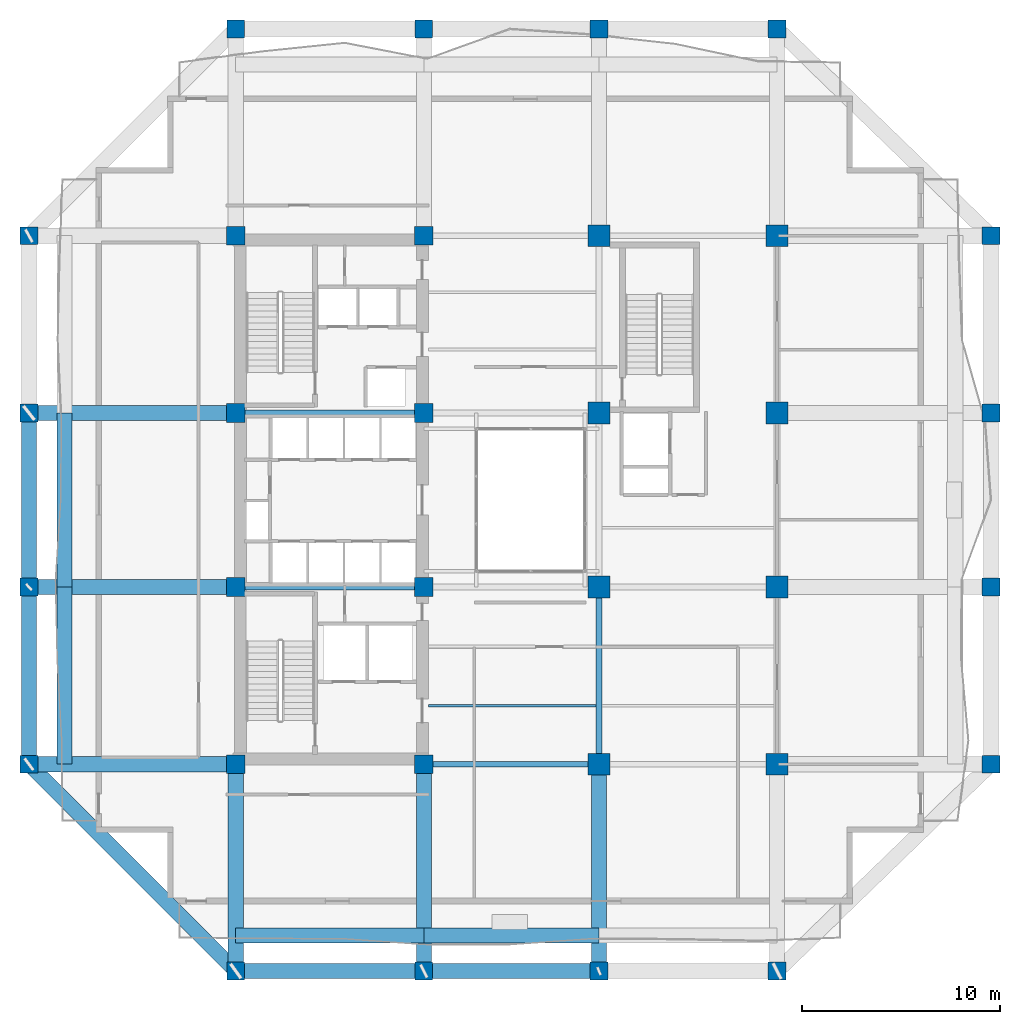
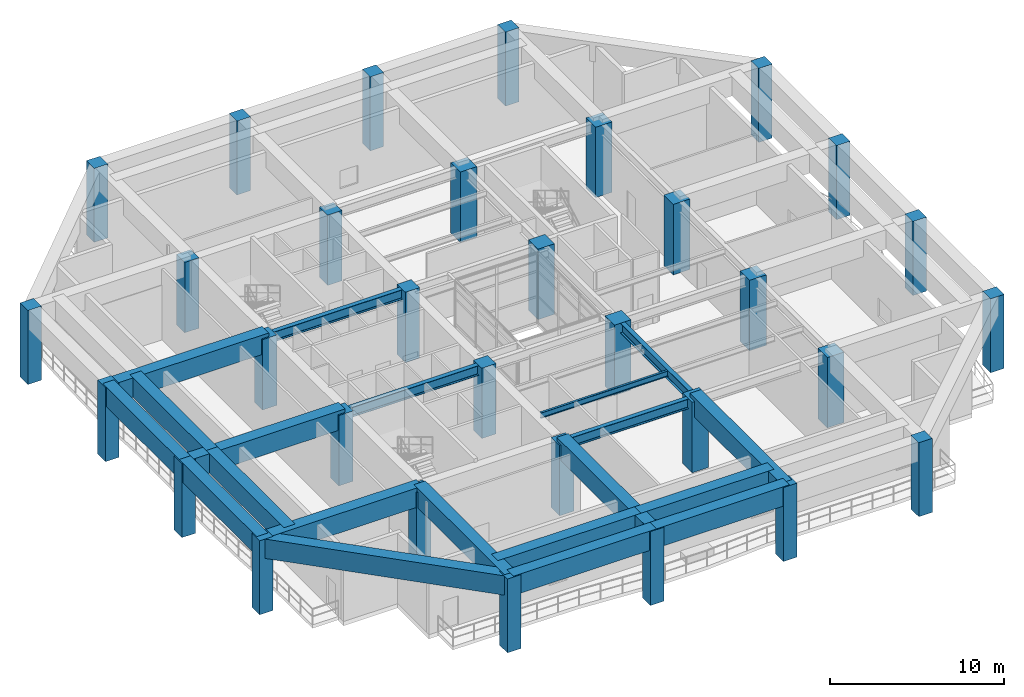
# One storey, part 1 of 13: 32 columns, 20 beams.
"""IFC4 building model written with IfcOpenShell, lengths in metres."""

from ifc_helpers import new_model, si_unit, direction, frame, origin, origin_2d, place, context, subcontext, project, spatial, rectangle, i_section, extrude, material, material_profile, profile_set, type_object, element, save


model = new_model("IFC4")

# Units and contexts
model_context = context("Model", 3, precision=1e-05, world=origin(), true_north=direction((0.0, 1.0)))
body_context = subcontext(model_context, "Body", "Model", "MODEL_VIEW")
ifc_project = project(units=[si_unit("LENGTHUNIT", "METRE"), si_unit("AREAUNIT", "SQUARE_METRE"), si_unit("VOLUMEUNIT", "CUBIC_METRE"), si_unit("PLANEANGLEUNIT", "RADIAN"), si_unit("MASSUNIT", "GRAM", prefix="KILO")], contexts=[model_context])

# Site, building, storey
site_placement = place(None, origin())
site = spatial("IfcSite", under=ifc_project, at=site_placement, CompositionType="ELEMENT")
building_placement = place(site_placement, origin())
building = spatial("IfcBuilding", under=site, at=building_placement, Name="Kundavana Baori Tower", CompositionType="ELEMENT")
storey_placement = place(building_placement, frame((0.0, 0.0, 98.800048828125)))
storey = spatial("IfcBuildingStorey", under=building, at=storey_placement, Name="L23", CompositionType="ELEMENT", Elevation=98.800048828125)

# Columns
ifc_material_1 = material(Name="Concrete C60/75", Category="concrete")
ifc_material_profile_1 = material_profile(ifc_material_1, rectangle(XDim=0.89990234375, YDim=0.89990234375, at=origin_2d()), Name="RC PF 900x900")
ifc_profile_set_1 = profile_set([ifc_material_profile_1], Name="Concrete C60/75")
column_type_1 = type_object("IfcColumnType", Name="COL-PF-900", PredefinedType="COLUMN", material=ifc_profile_set_1)
for number, where, z_axis, x_axis, name in (
    (1, (15.449951171875, 4.800048828125, 0.0), (0.0, 0.0, 1.0), (1.0, 0.0, 0.0), "L23 Stone-Clad Perimeter Frame Column PF-S1"),
    (2, (15.449951171875, 52.39990234375, 0.0), (0.0, 0.0, 1.0), (1.0, 0.0, 0.0), "L23 Stone-Clad Perimeter Frame Column PF-N1"),
    (3, (24.949951171875, 4.800048828125, 0.0), (0.0, 0.0, 1.0), (1.0, 0.0, 0.0), "L23 Stone-Clad Perimeter Frame Column PF-S2"),
    (4, (24.949951171875, 52.39990234375, 0.0), (0.0, 0.0, 1.0), (1.0, 0.0, 0.0), "L23 Stone-Clad Perimeter Frame Column PF-N2"),
    (5, (33.800048828125, 4.800048828125, 0.0), (0.0, 0.0, 1.0), (1.0, 0.0, 0.0), "L23 Stone-Clad Perimeter Frame Column PF-S3"),
    (6, (33.800048828125, 52.39990234375, 0.0), (0.0, 0.0, 1.0), (1.0, 0.0, 0.0), "L23 Stone-Clad Perimeter Frame Column PF-N3"),
    (7, (42.800048828125, 4.800048828125, 0.0), (0.0, 0.0, 1.0), (1.0, 0.0, 0.0), "L23 Stone-Clad Perimeter Frame Column PF-S4"),
    (8, (42.800048828125, 52.39990234375, 0.0), (0.0, 0.0, 1.0), (1.0, 0.0, 0.0), "L23 Stone-Clad Perimeter Frame Column PF-N4"),
    (9, (5.0, 15.25, 0.0), (0.0, 0.0, 1.0), (1.0, 0.0, 0.0), "L23 Stone-Clad Perimeter Frame Column PF-W1"),
    (10, (53.60009765625, 15.25, 0.0), (0.0, 0.0, 1.0), (1.0, 0.0, 0.0), "L23 Stone-Clad Perimeter Frame Column PF-E1"),
    (11, (5.0, 24.199951171875, 0.0), (0.0, 0.0, 1.0), (1.0, 0.0, 0.0), "L23 Stone-Clad Perimeter Frame Column PF-W2"),
    (12, (53.60009765625, 24.199951171875, 0.0), (0.0, 0.0, 1.0), (1.0, 0.0, 0.0), "L23 Stone-Clad Perimeter Frame Column PF-E2"),
    (13, (5.0, 33.0, 0.0), (0.0, 0.0, 1.0), (1.0, 0.0, 0.0), "L23 Stone-Clad Perimeter Frame Column PF-W3"),
    (14, (53.60009765625, 33.0, 0.0), (0.0, 0.0, 1.0), (1.0, 0.0, 0.0), "L23 Stone-Clad Perimeter Frame Column PF-E3"),
    (15, (5.0, 41.949951171875, 0.0), (0.0, 0.0, 1.0), (1.0, 0.0, 0.0), "L23 Stone-Clad Perimeter Frame Column PF-W4"),
    (16, (53.60009765625, 41.949951171875, 0.0), (0.0, 0.0, 1.0), (1.0, 0.0, 0.0), "L23 Stone-Clad Perimeter Frame Column PF-E4"),
):
    element("IfcColumn", number, at=place(storey_placement, frame(where, z_axis=z_axis, x_axis=x_axis)), inside=storey, type_object=column_type_1, Name=name, PredefinedType="COLUMN", context=body_context, shape_type="SweptSolid", body=[
        extrude(rectangle(XDim=0.89990234375, YDim=0.89990234375, at=origin_2d()), origin(), (0.0, 0.0, 1.0), 5.199951171875),
    ])
ifc_material_2 = material(Name="Concrete C60/75", Category="concrete")
ifc_material_profile_2 = material_profile(ifc_material_2, rectangle(XDim=1.10009765625, YDim=1.10009765625, at=origin_2d()), Name="RC 1100x1100")
ifc_profile_set_2 = profile_set([ifc_material_profile_2], Name="Concrete C60/75")
column_type_2 = type_object("IfcColumnType", Name="COL-RC-1100", PredefinedType="COLUMN", material=ifc_profile_set_2)
for number, where, z_axis, x_axis, name in (
    (17, (33.800048828125, 15.25, 0.0), (0.0, 0.0, 1.0), (1.0, 0.0, 0.0), "L23 Interior Column IC-5C"),
    (18, (33.800048828125, 24.199951171875, 0.0), (0.0, 0.0, 1.0), (1.0, 0.0, 0.0), "L23 Interior Column IC-5D"),
    (19, (33.800048828125, 33.0, 0.0), (0.0, 0.0, 1.0), (1.0, 0.0, 0.0), "L23 Interior Column IC-5E"),
    (20, (33.800048828125, 41.949951171875, 0.0), (0.0, 0.0, 1.0), (1.0, 0.0, 0.0), "L23 Interior Column IC-5F"),
    (21, (42.800048828125, 15.25, 0.0), (0.0, 0.0, 1.0), (1.0, 0.0, 0.0), "L23 Interior Column IC-6C"),
    (22, (42.800048828125, 24.199951171875, 0.0), (0.0, 0.0, 1.0), (1.0, 0.0, 0.0), "L23 Interior Column IC-6D"),
    (23, (42.800048828125, 33.0, 0.0), (0.0, 0.0, 1.0), (1.0, 0.0, 0.0), "L23 Interior Column IC-6E"),
    (24, (42.800048828125, 41.949951171875, 0.0), (0.0, 0.0, 1.0), (1.0, 0.0, 0.0), "L23 Interior Column IC-6F"),
):
    element("IfcColumn", number, at=place(storey_placement, frame(where, z_axis=z_axis, x_axis=x_axis)), inside=storey, type_object=column_type_2, Name=name, PredefinedType="COLUMN", context=body_context, shape_type="SweptSolid", body=[
        extrude(rectangle(XDim=1.10009765625, YDim=1.10009765625, at=origin_2d()), origin(), (0.0, 0.0, 1.0), 4.949951171875),
    ])
ifc_material_3 = material(Name="Concrete C50/60", Category="concrete")
ifc_material_profile_3 = material_profile(ifc_material_3, rectangle(XDim=0.949951171875, YDim=0.949951171875, at=origin_2d()), Name="RC 950x950")
ifc_profile_set_3 = profile_set([ifc_material_profile_3], Name="Concrete C50/60")
column_type_3 = type_object("IfcColumnType", Name="COL-RC-950", PredefinedType="COLUMN", material=ifc_profile_set_3)
for number, where, z_axis, x_axis, name in (
    (25, (15.449951171875, 15.25, 0.0), (0.0, 0.0, 1.0), (1.0, 0.0, 0.0), "L23 Interior Column IC-3C"),
    (26, (15.449951171875, 24.199951171875, 0.0), (0.0, 0.0, 1.0), (1.0, 0.0, 0.0), "L23 Interior Column IC-3D"),
    (27, (15.449951171875, 33.0, 0.0), (0.0, 0.0, 1.0), (1.0, 0.0, 0.0), "L23 Interior Column IC-3E"),
    (28, (15.449951171875, 41.949951171875, 0.0), (0.0, 0.0, 1.0), (1.0, 0.0, 0.0), "L23 Interior Column IC-3F"),
    (29, (24.949951171875, 15.25, 0.0), (0.0, 0.0, 1.0), (1.0, 0.0, 0.0), "L23 Interior Column IC-4C"),
    (30, (24.949951171875, 24.199951171875, 0.0), (0.0, 0.0, 1.0), (1.0, 0.0, 0.0), "L23 Interior Column IC-4D"),
    (31, (24.949951171875, 33.0, 0.0), (0.0, 0.0, 1.0), (1.0, 0.0, 0.0), "L23 Interior Column IC-4E"),
    (32, (24.949951171875, 41.949951171875, 0.0), (0.0, 0.0, 1.0), (1.0, 0.0, 0.0), "L23 Interior Column IC-4F"),
):
    element("IfcColumn", number, at=place(storey_placement, frame(where, z_axis=z_axis, x_axis=x_axis)), inside=storey, type_object=column_type_3, Name=name, PredefinedType="COLUMN", context=body_context, shape_type="SweptSolid", body=[
        extrude(rectangle(XDim=0.949951171875, YDim=0.949951171875, at=origin_2d()), origin(), (0.0, 0.0, 1.0), 4.949951171875),
    ])

# Beams
ifc_material_4 = material(Name="Structural Steel S355JR", Category="steel")
ifc_material_profile_4 = material_profile(ifc_material_4, i_section(OverallWidth=0.139892578125, OverallDepth=0.39990234375, WebThickness=0.0087890625, FlangeThickness=0.01611328125, FilletRadius=0.013916015625, at=origin_2d()), Name="ISMB 400")
ifc_profile_set_4 = profile_set([ifc_material_profile_4], Name="Structural Steel S355JR")
beam_type_1 = type_object("IfcBeamType", Name="BM-JST-400", PredefinedType="JOIST", material=ifc_profile_set_4)
beam_1_placement = place(storey_placement, frame((25.179931640625, 18.199951171875, 4.75), z_axis=(1.0, 0.0, 0.0), x_axis=(0.0, 1.0, 0.0)))
element("IfcBeam", 33, at=beam_1_placement, inside=storey, type_object=beam_type_1, Name="L23 Central Bay Composite Floor Joist C1", PredefinedType="JOIST", context=body_context, shape_type="SweptSolid", body=[
    extrude(i_section(OverallWidth=0.139892578125, OverallDepth=0.39990234375, WebThickness=0.0087890625, FlangeThickness=0.01611328125, FilletRadius=0.013916015625, at=origin_2d()), origin(), (0.0, 0.0, 1.0), 8.469970703125),
])
ifc_material_5 = material(Name="Structural Steel S355JR", Category="steel")
ifc_material_profile_5 = material_profile(ifc_material_5, i_section(OverallWidth=0.300048828125, OverallDepth=0.699951171875, WebThickness=0.014404296875, FlangeThickness=0.02392578125, FilletRadius=0.02392578125, at=origin_2d()), Name="NPB 700x300x170")
ifc_profile_set_5 = profile_set([ifc_material_profile_5], Name="Structural Steel S355JR")
beam_type_2 = type_object("IfcBeamType", Name="BM-ST-700", PredefinedType="BEAM", material=ifc_profile_set_5)
beam_2_placement = place(storey_placement, frame((24.949951171875, 15.25, 4.599853515625), z_axis=(1.0, 0.0, 0.0), x_axis=(0.0, 1.0, 0.0)))
element("IfcBeam", 34, at=beam_2_placement, inside=storey, type_object=beam_type_2, Name="L23 Primary Grid Girder GX-1-2", PredefinedType="BEAM", context=body_context, shape_type="SweptSolid", body=[
    extrude(i_section(OverallWidth=0.300048828125, OverallDepth=0.699951171875, WebThickness=0.014404296875, FlangeThickness=0.02392578125, FilletRadius=0.02392578125, at=origin_2d()), origin(), (0.0, 0.0, 1.0), 8.85009765625),
])
for number, where, z_axis, x_axis, name in (
    (35, (15.449951171875, 24.199951171875, 4.599853515625), (1.0, 0.0, 0.0), (0.0, 1.0, 0.0), "L23 Primary Grid Girder GX-2-1"),
    (36, (15.449951171875, 33.0, 4.599853515625), (1.0, 0.0, 0.0), (0.0, 1.0, 0.0), "L23 Primary Grid Girder GX-3-1"),
):
    element("IfcBeam", number, at=place(storey_placement, frame(where, z_axis=z_axis, x_axis=x_axis)), inside=storey, type_object=beam_type_2, Name=name, PredefinedType="BEAM", context=body_context, shape_type="SweptSolid", body=[
        extrude(i_section(OverallWidth=0.300048828125, OverallDepth=0.699951171875, WebThickness=0.014404296875, FlangeThickness=0.02392578125, FilletRadius=0.02392578125, at=origin_2d()), origin(), (0.0, 0.0, 1.0), 9.5),
    ])
beam_3_placement = place(storey_placement, frame((33.800048828125, 15.25, 4.599853515625), z_axis=(0.0, 1.0, 0.0), x_axis=(-1.0, 0.0, 0.0)))
element("IfcBeam", 37, at=beam_3_placement, inside=storey, type_object=beam_type_2, Name="L23 Primary Grid Girder GY-3-1", PredefinedType="BEAM", context=body_context, shape_type="SweptSolid", body=[
    extrude(i_section(OverallWidth=0.300048828125, OverallDepth=0.699951171875, WebThickness=0.014404296875, FlangeThickness=0.02392578125, FilletRadius=0.02392578125, at=origin_2d()), origin(), (0.0, 0.0, 1.0), 8.949951171875),
])
ifc_material_6 = material(Name="Concrete C50/60", Category="concrete")
ifc_material_profile_6 = material_profile(ifc_material_6, rectangle(XDim=0.760009765625, YDim=1.360107421875, at=origin_2d()), Name="BM-TG-3")
ifc_profile_set_6 = profile_set([ifc_material_profile_6], Name="Concrete C50/60")
beam_type_3 = type_object("IfcBeamType", Name="BM-TG-3", PredefinedType="USERDEFINED", material=ifc_profile_set_6)
beam_4_placement = place(storey_placement, frame((15.449951171875, 4.800048828125, 4.52001953125), z_axis=(1.0, 0.0, 0.0), x_axis=(0.0, 1.0, 0.0)))
element("IfcBeam", 38, at=beam_4_placement, inside=storey, type_object=beam_type_3, Name="L23 Perimeter Frame Ring Beam S1", ObjectType="TRANSFER GIRDER", PredefinedType="USERDEFINED", context=body_context, shape_type="SweptSolid", body=[
    extrude(rectangle(XDim=0.760009765625, YDim=1.360107421875, at=origin_2d()), origin(), (0.0, 0.0, 1.0), 9.5),
])
beam_5_placement = place(storey_placement, frame((24.949951171875, 4.800048828125, 4.52001953125), z_axis=(1.0, 0.0, 0.0), x_axis=(0.0, 1.0, 0.0)))
element("IfcBeam", 39, at=beam_5_placement, inside=storey, type_object=beam_type_3, Name="L23 Perimeter Frame Ring Beam S2", ObjectType="TRANSFER GIRDER", PredefinedType="USERDEFINED", context=body_context, shape_type="SweptSolid", body=[
    extrude(rectangle(XDim=0.760009765625, YDim=1.360107421875, at=origin_2d()), origin(), (0.0, 0.0, 1.0), 8.85009765625),
])
beam_6_placement = place(storey_placement, frame((5.0, 15.25, 4.52001953125), z_axis=(0.0, 1.0, 0.0), x_axis=(-1.0, 0.0, 0.0)))
element("IfcBeam", 40, at=beam_6_placement, inside=storey, type_object=beam_type_3, Name="L23 Perimeter Frame Ring Beam W1", ObjectType="TRANSFER GIRDER", PredefinedType="USERDEFINED", context=body_context, shape_type="SweptSolid", body=[
    extrude(rectangle(XDim=0.760009765625, YDim=1.360107421875, at=origin_2d()), origin(), (0.0, 0.0, 1.0), 8.949951171875),
])
beam_7_placement = place(storey_placement, frame((5.0, 24.199951171875, 4.52001953125), z_axis=(0.0, 1.0, 0.0), x_axis=(-1.0, 0.0, 0.0)))
element("IfcBeam", 41, at=beam_7_placement, inside=storey, type_object=beam_type_3, Name="L23 Perimeter Frame Ring Beam W2", ObjectType="TRANSFER GIRDER", PredefinedType="USERDEFINED", context=body_context, shape_type="SweptSolid", body=[
    extrude(rectangle(XDim=0.760009765625, YDim=1.360107421875, at=origin_2d()), origin(), (0.0, 0.0, 1.0), 8.800048828125),
])
beam_8_placement = place(storey_placement, frame((15.449951171875, 4.800048828125, 4.52001953125), z_axis=(-0.707106781187, 0.707106781187, 0.0), x_axis=(-0.707106781187, -0.707106781187, 0.0)))
element("IfcBeam", 42, at=beam_8_placement, inside=storey, type_object=beam_type_3, Name="L23 Notched Corner Perimeter Beam SW", ObjectType="TRANSFER GIRDER", PredefinedType="USERDEFINED", context=body_context, shape_type="SweptSolid", body=[
    extrude(rectangle(XDim=0.760009765625, YDim=1.360107421875, at=origin_2d()), origin(), (0.0, 0.0, 1.0), 14.778564453125),
])
for number, where, z_axis, x_axis, name in (
    (43, (15.449951171875, 15.25, 4.52001953125), (0.0, -1.0, 0.0), (1.0, 0.0, 0.0), "L23 South Radial Transfer Girder S1"),
    (44, (24.949951171875, 15.25, 4.52001953125), (0.0, -1.0, 0.0), (1.0, 0.0, 0.0), "L23 South Radial Transfer Girder S2"),
    (45, (33.800048828125, 15.25, 4.52001953125), (0.0, -1.0, 0.0), (1.0, 0.0, 0.0), "L23 South Radial Transfer Girder S3"),
    (46, (15.449951171875, 15.25, 4.52001953125), (-1.0, 0.0, 0.0), (0.0, -1.0, 0.0), "L23 West Radial Transfer Girder W1"),
    (47, (15.449951171875, 24.199951171875, 4.52001953125), (-1.0, 0.0, 0.0), (0.0, -1.0, 0.0), "L23 West Radial Transfer Girder W2"),
    (48, (15.449951171875, 33.0, 4.52001953125), (-1.0, 0.0, 0.0), (0.0, -1.0, 0.0), "L23 West Radial Transfer Girder W3"),
):
    element("IfcBeam", number, at=place(storey_placement, frame(where, z_axis=z_axis, x_axis=x_axis)), inside=storey, type_object=beam_type_3, Name=name, ObjectType="TRANSFER GIRDER", PredefinedType="USERDEFINED", context=body_context, shape_type="SweptSolid", body=[
        extrude(rectangle(XDim=0.760009765625, YDim=1.360107421875, at=origin_2d()), origin(), (0.0, 0.0, 1.0), 10.449951171875),
    ])
beam_9_placement = place(storey_placement, frame((15.449951171875, 6.60009765625, 4.52001953125), z_axis=(1.0, 0.0, 0.0), x_axis=(0.0, 1.0, 0.0)))
element("IfcBeam", 49, at=beam_9_placement, inside=storey, type_object=beam_type_3, Name="L23 Setback Collar Transfer Girder S1", ObjectType="TRANSFER GIRDER", PredefinedType="USERDEFINED", context=body_context, shape_type="SweptSolid", body=[
    extrude(rectangle(XDim=0.760009765625, YDim=1.360107421875, at=origin_2d()), origin(), (0.0, 0.0, 1.0), 9.5),
])
beam_10_placement = place(storey_placement, frame((24.949951171875, 6.60009765625, 4.52001953125), z_axis=(1.0, 0.0, 0.0), x_axis=(0.0, 1.0, 0.0)))
element("IfcBeam", 50, at=beam_10_placement, inside=storey, type_object=beam_type_3, Name="L23 Setback Collar Transfer Girder S2", ObjectType="TRANSFER GIRDER", PredefinedType="USERDEFINED", context=body_context, shape_type="SweptSolid", body=[
    extrude(rectangle(XDim=0.760009765625, YDim=1.360107421875, at=origin_2d()), origin(), (0.0, 0.0, 1.0), 8.85009765625),
])
beam_11_placement = place(storey_placement, frame((6.800048828125, 15.25, 4.52001953125), z_axis=(0.0, 1.0, 0.0), x_axis=(-1.0, 0.0, 0.0)))
element("IfcBeam", 51, at=beam_11_placement, inside=storey, type_object=beam_type_3, Name="L23 Setback Collar Transfer Girder W1", ObjectType="TRANSFER GIRDER", PredefinedType="USERDEFINED", context=body_context, shape_type="SweptSolid", body=[
    extrude(rectangle(XDim=0.760009765625, YDim=1.360107421875, at=origin_2d()), origin(), (0.0, 0.0, 1.0), 8.949951171875),
])
beam_12_placement = place(storey_placement, frame((6.800048828125, 24.199951171875, 4.52001953125), z_axis=(0.0, 1.0, 0.0), x_axis=(-1.0, 0.0, 0.0)))
element("IfcBeam", 52, at=beam_12_placement, inside=storey, type_object=beam_type_3, Name="L23 Setback Collar Transfer Girder W2", ObjectType="TRANSFER GIRDER", PredefinedType="USERDEFINED", context=body_context, shape_type="SweptSolid", body=[
    extrude(rectangle(XDim=0.760009765625, YDim=1.360107421875, at=origin_2d()), origin(), (0.0, 0.0, 1.0), 8.800048828125),
])

save(model, "model.ifc")
